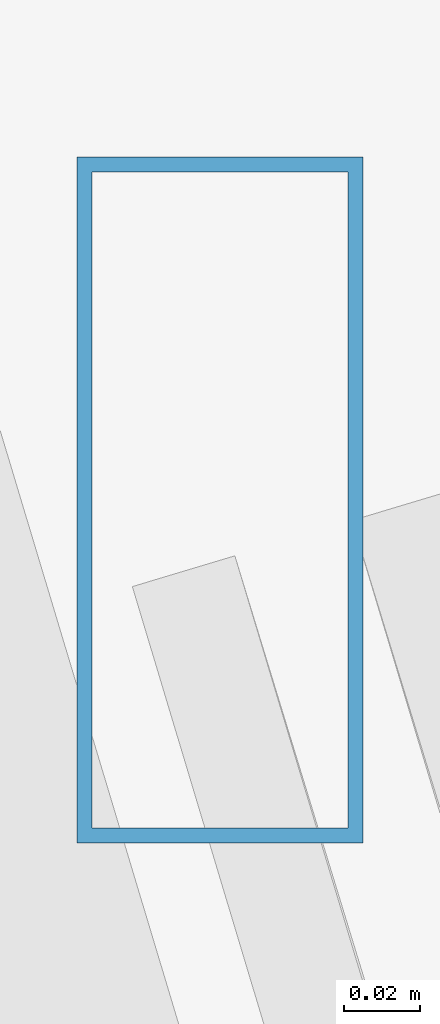
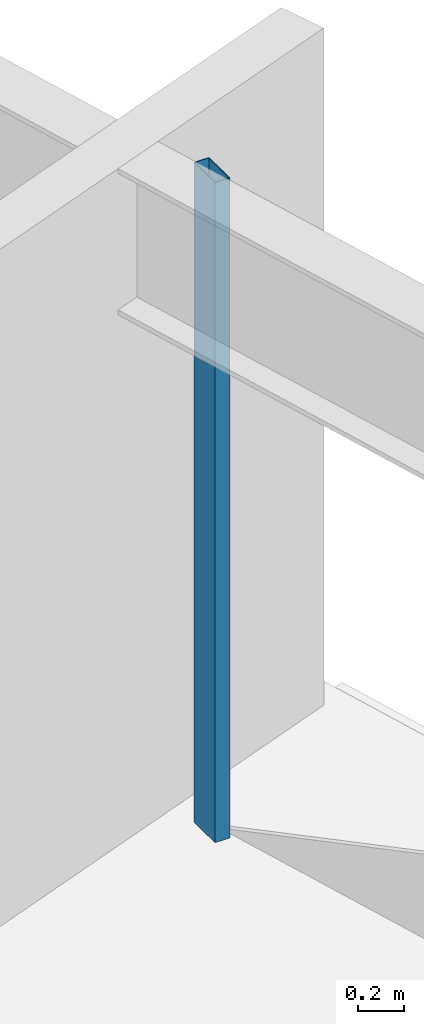
# One storey, part 21 of 33: 1 member, 1 element without a shape of its own.
"""IFC4 building model written with IfcOpenShell, lengths in metres."""

from ifc_helpers import new_model, si_unit, direction, frame, origin, origin_2d, place, context, subcontext, project, spatial, hollow_rectangle, extrude, material, layer, layer_set, material_profile, profile_set, type_object, element, aggregate, save


model = new_model("IFC4")

# Units and contexts
model_context = context("Model", 3, precision=1e-05, world=origin(), true_north=direction((0.0, 1.0)))
body_context = subcontext(model_context, "Body", "Model", "MODEL_VIEW")
ifc_project = project(units=[si_unit("LENGTHUNIT", "METRE"), si_unit("AREAUNIT", "SQUARE_METRE"), si_unit("VOLUMEUNIT", "CUBIC_METRE"), si_unit("PLANEANGLEUNIT", "RADIAN"), si_unit("MASSUNIT", "GRAM", prefix="KILO")], contexts=[model_context])

# Site, building, storey
site_placement = place(None, origin())
site = spatial("IfcSite", under=ifc_project, at=site_placement, CompositionType="ELEMENT")
building_placement = place(site_placement, origin())
building = spatial("IfcBuilding", under=site, at=building_placement, Name="Vantalir Tower", CompositionType="ELEMENT")
storey_placement = place(building_placement, frame((0.0, 0.0, 68.25)))
storey = spatial("IfcBuildingStorey", under=building, at=storey_placement, Name="L16", CompositionType="ELEMENT", Elevation=68.25)

# Curtain wall, member
ifc_material_1 = material(Name="Champagne-silver PVDF aluminium and double-silver Low-E glass", Category="aluminium")
ifc_layer = layer(ifc_material_1, 0.18994140625)
ifc_layer_set = layer_set([ifc_layer], Name="Champagne-silver PVDF aluminium and double-silver Low-E glass")
curtain_wall_type = type_object("IfcCurtainWallType", Name="CW-DIAMOND-Z1", PredefinedType="USERDEFINED", material=ifc_layer_set)
curtain_wall_placement = place(storey_placement, origin())
curtain_wall = element("IfcCurtainWall", 1, at=curtain_wall_placement, inside=storey, type_object=curtain_wall_type, Name="L16 Quilted Pyramid-Diamond Curtain Wall S01", ObjectType="UNITISED CURTAIN WALL", PredefinedType="USERDEFINED")
ifc_material_2 = material(Name="Champagne-silver PVDF aluminium 6063-T6", Category="aluminium")
ifc_material_profile = material_profile(ifc_material_2, hollow_rectangle(XDim=0.074951171875, YDim=0.179931640625, WallThickness=0.00390625, at=origin_2d()), Name="Champagne-silver PVDF aluminium 6063-T6")
ifc_profile_set = profile_set([ifc_material_profile], Name="Champagne-silver PVDF aluminium 6063-T6")
member_type = type_object("IfcMemberType", Name="CWM-180x75", PredefinedType="MULLION", material=ifc_profile_set)
member_placement = place(storey_placement, frame((56.989013671875, 32.822998046875, 0.044921875), z_axis=(0.0, 0.0, 1.0), x_axis=(1.0, 0.0, 0.0)))
member = element("IfcMember", 2, at=member_placement, type_object=member_type, Name="CW-L16-S01 Mullion 2", PredefinedType="MULLION", context=body_context, shape_type="SweptSolid", body=[
    extrude(hollow_rectangle(XDim=0.074951171875, YDim=0.179931640625, WallThickness=0.00390625, at=origin_2d()), origin(), (0.0, 0.0, 1.0), 3.47998046875),
])
aggregate(curtain_wall, [member])

save(model, "model.ifc")
